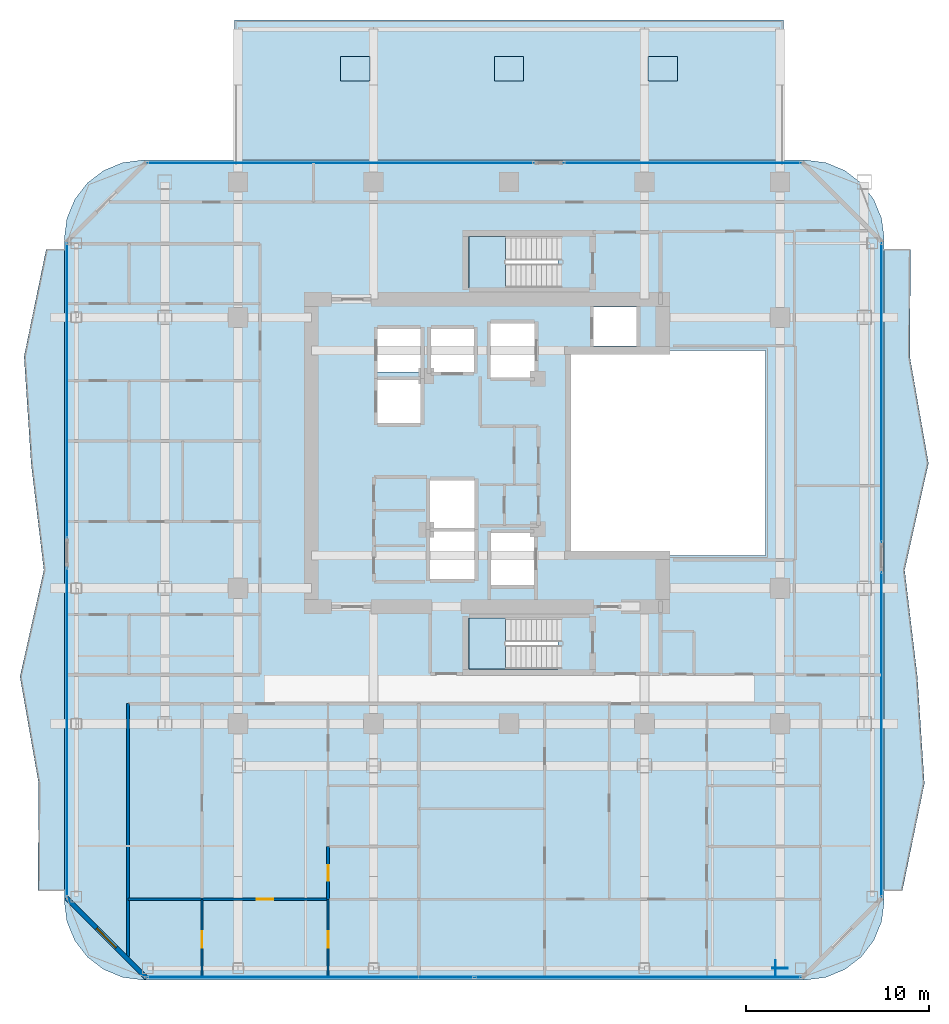
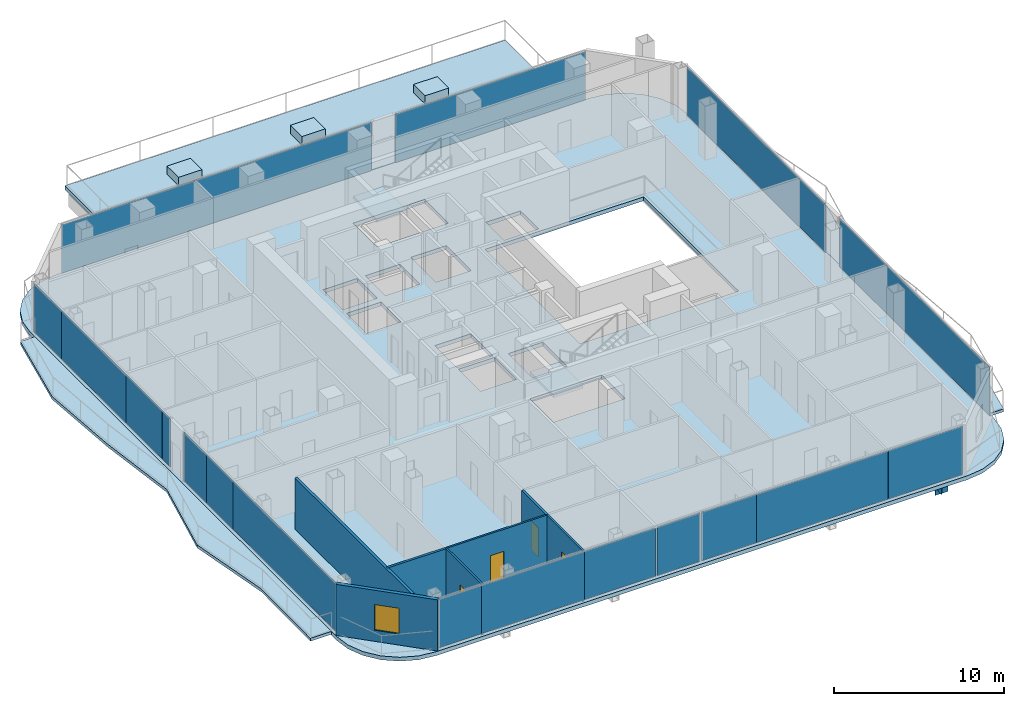
# One storey, part 16 of 24: 20 plates, 9 slabs, 7 walls, 4 doors, 1 window, 5 openings, 9 elements without a shape of their own.
"""IFC4 building model written with IfcOpenShell, lengths in metres."""

from ifc_helpers import new_model, si_unit, direction, frame, frame_2d, origin, origin_2d, place, context, subcontext, project, spatial, polyline, rectangle, outline, extrude, material, layer, layer_set, type_object, element, fill, aggregate, save


model = new_model("IFC4")

# Units and contexts
model_context = context("Model", 3, precision=1e-05, world=origin(), true_north=direction((0.0, 1.0)))
body_context = subcontext(model_context, "Body", "Model", "MODEL_VIEW")
ifc_project = project(units=[si_unit("LENGTHUNIT", "METRE"), si_unit("AREAUNIT", "SQUARE_METRE"), si_unit("VOLUMEUNIT", "CUBIC_METRE"), si_unit("PLANEANGLEUNIT", "RADIAN"), si_unit("MASSUNIT", "GRAM", prefix="KILO")], contexts=[model_context])

# Site, building, storey
site_placement = place(None, origin())
site = spatial("IfcSite", under=ifc_project, at=site_placement, CompositionType="ELEMENT")
building_placement = place(site_placement, origin())
building = spatial("IfcBuilding", under=site, at=building_placement, Name="Khorvyn Point Tower", CompositionType="ELEMENT")
storey_placement = place(building_placement, frame((0.0, 0.0, 191.39990234375)))
storey = spatial("IfcBuildingStorey", under=building, at=storey_placement, Name="L47", CompositionType="ELEMENT", Elevation=191.39990234375)

# Slabs
ifc_material_1 = material(Name="Concrete C35/45", Category="concrete")
ifc_layer_1 = layer(ifc_material_1, 0.239990234375)
ifc_layer_set_1 = layer_set([ifc_layer_1], Name="Concrete C35/45 Setback Terrace Roof Slab 240")
slab_type_1 = type_object("IfcSlabType", Name="Concrete C35/45 Setback Terrace Roof Slab 240", PredefinedType="ROOF", material=ifc_layer_set_1)
slab_1_placement = place(storey_placement, frame((0.0, 0.0, -0.27978515625)))
element("IfcSlab", 1, at=slab_1_placement, inside=storey, type_object=slab_type_1, Name="L47 North Jenga Setback Sky-Garden Terrace", PredefinedType="ROOF", context=body_context, shape_type="SweptSolid", body=[
    extrude(outline(polyline([(-15.0, 16.02001953125), (15.0, 16.02001953125), (15.0, 23.64990234375), (-15.0, 23.64990234375), (-15.0, 16.02001953125)])), origin(), (0.0, 0.0, 1.0), 0.27978515625),
])
ifc_layer_2 = layer(ifc_material_1, 0.60009765625)
ifc_layer_set_2 = layer_set([ifc_layer_2], Name="Concrete C35/45 Terrace Tree Planter 600")
slab_type_2 = type_object("IfcSlabType", Name="Concrete C35/45 Terrace Tree Planter 600", PredefinedType="USERDEFINED", material=ifc_layer_set_2)
slab_2_placement = place(storey_placement, origin())
element("IfcSlab", 2, at=slab_2_placement, inside=storey, type_object=slab_type_2, Name="L47 Sky-Terrace Structural Tree Planter 1", ObjectType="PLANTER", PredefinedType="USERDEFINED", context=body_context, shape_type="SweptSolid", body=[
    extrude(outline(polyline([(-9.199951171875, 20.304443359375), (-7.60009765625, 20.304443359375), (-7.60009765625, 21.654541015625), (-9.199951171875, 21.654541015625), (-9.199951171875, 20.304443359375)])), origin(), (0.0, 0.0, 1.0), 0.60009765625),
])
slab_3_placement = place(storey_placement, origin())
element("IfcSlab", 3, at=slab_3_placement, inside=storey, type_object=slab_type_2, Name="L47 Sky-Terrace Structural Tree Planter 2", ObjectType="PLANTER", PredefinedType="USERDEFINED", context=body_context, shape_type="SweptSolid", body=[
    extrude(outline(polyline([(-0.800048828125, 20.304443359375), (0.800048828125, 20.304443359375), (0.800048828125, 21.654541015625), (-0.800048828125, 21.654541015625), (-0.800048828125, 20.304443359375)])), origin(), (0.0, 0.0, 1.0), 0.60009765625),
])
slab_4_placement = place(storey_placement, origin())
element("IfcSlab", 4, at=slab_4_placement, inside=storey, type_object=slab_type_2, Name="L47 Sky-Terrace Structural Tree Planter 3", ObjectType="PLANTER", PredefinedType="USERDEFINED", context=body_context, shape_type="SweptSolid", body=[
    extrude(outline(polyline([(7.60009765625, 20.304443359375), (9.199951171875, 20.304443359375), (9.199951171875, 21.654541015625), (7.60009765625, 21.654541015625), (7.60009765625, 20.304443359375)])), origin(), (0.0, 0.0, 1.0), 0.60009765625),
])
ifc_material_2 = material(Name="Concrete C40/50", Category="concrete")
ifc_layer_3 = layer(ifc_material_2, 0.2099609375)
ifc_layer_set_3 = layer_set([ifc_layer_3], Name="Concrete C40/50 Rippling Balcony Slab 210")
slab_type_3 = type_object("IfcSlabType", Name="Concrete C40/50 Rippling Balcony Slab 210", PredefinedType="USERDEFINED", material=ifc_layer_set_3)
slab_5_placement = place(storey_placement, frame((0.0, 0.0, -0.2099609375)))
element("IfcSlab", 5, at=slab_5_placement, inside=storey, type_object=slab_type_3, Name="L47 East Sinusoidal Rippling Balcony", ObjectType="BALCONY", PredefinedType="USERDEFINED", context=body_context, shape_type="SweptSolid", body=[
    extrude(outline(polyline([(20.5, -23.89990234375), (21.492431640625, -23.89990234375), (22.695556640625, -18.066650390625), (22.31201171875, -12.2333984375), (21.61474609375, -6.39990234375), (22.917724609375, -0.566650390625), (21.896728515625, 5.2666015625), (21.940185546875, 11.10009765625), (20.5, 11.10009765625), (20.5, -23.89990234375)])), origin(), (0.0, 0.0, 1.0), 0.2099609375),
])
slab_6_placement = place(storey_placement, frame((0.0, 0.0, -0.2099609375)))
element("IfcSlab", 6, at=slab_6_placement, inside=storey, type_object=slab_type_3, Name="L47 West Sinusoidal Rippling Balcony", ObjectType="BALCONY", PredefinedType="USERDEFINED", context=body_context, shape_type="SweptSolid", body=[
    extrude(outline(polyline([(-24.300048828125, 11.10009765625), (-25.29248046875, 11.10009765625), (-26.49560546875, 5.2666015625), (-26.112060546875, -0.566650390625), (-25.414794921875, -6.39990234375), (-26.7177734375, -12.2333984375), (-25.69677734375, -18.066650390625), (-25.739990234375, -23.89990234375), (-24.300048828125, -23.89990234375), (-24.300048828125, 11.10009765625)])), origin(), (0.0, 0.0, 1.0), 0.2099609375),
])

# Stair, slab
stair_type = type_object("IfcStairType", Name="Tower Concrete C40/50 Dogleg Exit Stair", PredefinedType="HALF_TURN_STAIR", material=ifc_material_2)
stair_1_placement = place(storey_placement, origin())
stair_1 = element("IfcStair", 7, at=stair_1_placement, inside=storey, type_object=stair_type, Name="L47 Tower Smokeproof Exit Stair South", PredefinedType="HALF_TURN_STAIR")
ifc_layer_4 = layer(ifc_material_2, 0.199951171875)
ifc_layer_set_4 = layer_set([ifc_layer_4], Name="Concrete C40/50 Stair Landing Slab 200")
slab_type_4 = type_object("IfcSlabType", Name="Concrete C40/50 Stair Landing Slab 200", PredefinedType="LANDING", material=ifc_layer_set_4)
slab_7_placement = place(storey_placement, frame((0.0, 0.0, 1.75)))
slab_7 = element("IfcSlab", 8, at=slab_7_placement, type_object=slab_type_4, Name="ST-01 landing 1", PredefinedType="LANDING", context=body_context, shape_type="SweptSolid", body=[
    extrude(outline(polyline([(-0.179931640625, -9.02001953125), (-2.199951171875, -9.02001953125), (-2.199951171875, -11.820068359375), (-0.179931640625, -11.820068359375), (-0.179931640625, -9.02001953125)])), origin(), (0.0, 0.0, 1.0), 0.2001953125),
])
aggregate(stair_1, [slab_7])

stair_2_placement = place(storey_placement, origin())
stair_2 = element("IfcStair", 9, at=stair_2_placement, inside=storey, type_object=stair_type, Name="L47 Tower Smokeproof Exit Stair North", PredefinedType="HALF_TURN_STAIR")
slab_8_placement = place(storey_placement, frame((0.0, 0.0, 1.75)))
slab_8 = element("IfcSlab", 10, at=slab_8_placement, type_object=slab_type_4, Name="ST-02 landing 1", PredefinedType="LANDING", context=body_context, shape_type="SweptSolid", body=[
    extrude(outline(polyline([(-0.179931640625, 11.820068359375), (-2.199951171875, 11.820068359375), (-2.199951171875, 9.02001953125), (-0.179931640625, 9.02001953125), (-0.179931640625, 11.820068359375)])), origin(), (0.0, 0.0, 1.0), 0.2001953125),
])
aggregate(stair_2, [slab_8])

# Slab
ifc_layer_5 = layer(ifc_material_2, 0.280029296875)
ifc_layer_set_5 = layer_set([ifc_layer_5], Name="Concrete C40/50 Structural Floor Slab 280")
slab_type_5 = type_object("IfcSlabType", Name="Concrete C40/50 Structural Floor Slab 280", PredefinedType="FLOOR", material=ifc_layer_set_5)
slab_9_placement = place(storey_placement, frame((0.0, 0.0, -0.27978515625)))
element("IfcSlab", 11, at=slab_9_placement, inside=storey, type_object=slab_type_5, Name="L47 Main Structural Floor Slab", PredefinedType="FLOOR", context=body_context, shape_type="SweptSolid", body=[
    extrude(outline(polyline([(-20.0, -28.800048828125), (-21.11279296875, -28.653564453125), (-22.14990234375, -28.223876953125), (-23.04052734375, -27.54052734375), (-23.723876953125, -26.64990234375), (-24.153564453125, -25.61279296875), (-24.300048828125, -24.5), (-24.300048828125, 11.699951171875), (-24.153564453125, 12.81298828125), (-23.723876953125, 13.85009765625), (-23.04052734375, 14.740478515625), (-22.14990234375, 15.423828125), (-21.11279296875, 15.853515625), (-20.0, 16.0), (16.199951171875, 16.0), (17.31298828125, 15.853515625), (18.35009765625, 15.423828125), (19.240478515625, 14.740478515625), (19.923828125, 13.85009765625), (20.353515625, 12.81298828125), (20.5, 11.699951171875), (20.5, -24.5), (20.353515625, -25.61279296875), (19.923828125, -26.64990234375), (19.240478515625, -27.54052734375), (18.35009765625, -28.223876953125), (17.31298828125, -28.653564453125), (16.199951171875, -28.800048828125), (-20.0, -28.800048828125)]), holes=[polyline([(-1.875, -6.89990234375), (-1.875, -4.300048828125), (-4.324951171875, -4.300048828125), (-4.324951171875, -6.89990234375), (-1.875, -6.89990234375)]), polyline([(-1.875, -4.10009765625), (-1.875, -1.5), (-4.324951171875, -1.5), (-4.324951171875, -4.10009765625), (-1.875, -4.10009765625)]), polyline([(-4.824951171875, 1.625), (-4.824951171875, 3.97509765625), (-7.175048828125, 3.97509765625), (-7.175048828125, 1.625), (-4.824951171875, 1.625)]), polyline([(-7.175048828125, 4.425048828125), (-4.824951171875, 4.425048828125), (-4.824951171875, 6.77490234375), (-7.175048828125, 6.77490234375), (-7.175048828125, 4.425048828125)]), polyline([(-4.27490234375, 4.425048828125), (-1.925048828125, 4.425048828125), (-1.925048828125, 6.77490234375), (-4.27490234375, 6.77490234375), (-4.27490234375, 4.425048828125)]), polyline([(1.39990234375, 4.125), (1.39990234375, 7.074951171875), (-1.0, 7.074951171875), (-1.0, 4.125), (1.39990234375, 4.125)]), polyline([(-2.199951171875, -11.820068359375), (2.679931640625, -11.820068359375), (2.679931640625, -9.02001953125), (-2.199951171875, -9.02001953125), (-2.199951171875, -11.820068359375)]), polyline([(-0.97509765625, -7.22509765625), (1.375, -7.22509765625), (1.375, -4.375), (-0.97509765625, -4.375), (-0.97509765625, -7.22509765625)]), polyline([(14.0, -5.60009765625), (14.0, 5.60009765625), (3.199951171875, 5.60009765625), (3.199951171875, -5.60009765625), (14.0, -5.60009765625)]), polyline([(4.625, 5.85009765625), (6.97509765625, 5.85009765625), (6.97509765625, 7.97998046875), (4.625, 7.97998046875), (4.625, 5.85009765625)]), polyline([(-2.199951171875, 9.02001953125), (2.679931640625, 9.02001953125), (2.679931640625, 11.820068359375), (-2.199951171875, 11.820068359375), (-2.199951171875, 9.02001953125)])]), origin(), (0.0, 0.0, 1.0), 0.27978515625),
])

# Plates
ifc_material_3 = material(Name="Steel S450", Category="steel")
ifc_layer_6 = layer(ifc_material_3, 0.031982421875)
ifc_layer_set_6 = layer_set([ifc_layer_6], Name="Steel S450 Exoskeleton End Cap Plate 32")
plate_type_1 = type_object("IfcPlateType", Name="Steel S450 Exoskeleton End Cap Plate 32", PredefinedType="USERDEFINED", material=ifc_layer_set_6)
plate_1_placement = place(storey_placement, frame((14.800048828125, -28.159912109375, -1.16015625), z_axis=(0.0, 0.0, 1.0), x_axis=(1.0, 0.0, 0.0)))
element("IfcPlate", 12, at=plate_1_placement, inside=storey, type_object=plate_type_1, Name="Plate", ObjectType="GUSSET", PredefinedType="USERDEFINED", context=body_context, shape_type="SweptSolid", body=[
    extrude(rectangle(XDim=0.860107421875, YDim=0.031982421875, at=origin_2d()), origin(), (0.0, 0.0, 1.0), 0.860107421875),
])
plate_2_placement = place(storey_placement, frame((14.56005859375, -28.14990234375, -0.91015625), z_axis=(0.0, 0.0, 1.0), x_axis=(1.0, 0.0, 0.0)))
element("IfcPlate", 13, at=plate_2_placement, inside=storey, type_object=plate_type_1, Name="Plate", ObjectType="GUSSET", PredefinedType="USERDEFINED", context=body_context, shape_type="SweptSolid", body=[
    extrude(rectangle(XDim=0.031982421875, YDim=0.860107421875, at=origin_2d()), origin(), (0.0, 0.0, 1.0), 0.860107421875),
])

# Curtain wall, plates
ifc_material_4 = material(Name="Anodised aluminium 6063-T6 and laminated Low-E glass", Category="aluminium")
ifc_layer_7 = layer(ifc_material_4, 0.18994140625)
ifc_layer_set_7 = layer_set([ifc_layer_7], Name="Stick-Built Acoustic Curtain Wall CW-SYS-03")
curtain_wall_type = type_object("IfcCurtainWallType", Name="Stick-Built Acoustic Curtain Wall CW-SYS-03", PredefinedType="NOTDEFINED", material=ifc_layer_set_7)
curtain_wall_1_placement = place(storey_placement, origin())
curtain_wall_1 = element("IfcCurtainWall", 14, at=curtain_wall_1_placement, inside=storey, type_object=curtain_wall_type, Name="Curtain Wall", PredefinedType="NOTDEFINED")
ifc_material_5 = material(Name="Laminated Low-E insulated glass", Category="glass")
ifc_layer_8 = layer(ifc_material_5, 0.028076171875)
ifc_layer_set_8 = layer_set([ifc_layer_8], Name="Tempered Low-E Vision Glazing Panel CW-GL28")
plate_type_2 = type_object("IfcPlateType", Name="Tempered Low-E Vision Glazing Panel CW-GL28", PredefinedType="CURTAIN_PANEL", material=ifc_layer_set_8)
plate_3_placement = place(storey_placement, frame((0.0224609375, -28.64990234375, 0.10009765625), z_axis=(0.0, 0.0, 1.0), x_axis=(-1.0, 0.0, 0.0)))
plate_3 = element("IfcPlate", 15, at=plate_3_placement, type_object=plate_type_2, Name="Panel", PredefinedType="CURTAIN_PANEL", context=body_context, shape_type="SweptSolid", body=[
    extrude(rectangle(XDim=3.737060546875, YDim=0.028076171875, at=origin_2d()), origin(), (0.0, 0.0, 1.0), 3.47998046875),
])
plate_4_placement = place(storey_placement, frame((6.384521484375, -28.64990234375, 0.10009765625), z_axis=(0.0, 0.0, 1.0), x_axis=(-1.0, 0.0, 0.0)))
plate_4 = element("IfcPlate", 16, at=plate_4_placement, type_object=plate_type_2, Name="Panel", PredefinedType="CURTAIN_PANEL", context=body_context, shape_type="SweptSolid", body=[
    extrude(rectangle(XDim=8.970947265625, YDim=0.028076171875, at=origin_2d()), origin(), (0.0, 0.0, 1.0), 3.47998046875),
])
plate_5_placement = place(storey_placement, frame((13.412109375, -28.64990234375, 0.10009765625), z_axis=(0.0, 0.0, 1.0), x_axis=(-1.0, 0.0, 0.0)))
plate_5 = element("IfcPlate", 17, at=plate_5_placement, type_object=plate_type_2, Name="Panel", PredefinedType="CURTAIN_PANEL", context=body_context, shape_type="SweptSolid", body=[
    extrude(rectangle(XDim=5.068115234375, YDim=0.028076171875, at=origin_2d()), origin(), (0.0, 0.0, 1.0), 3.47998046875),
])
plate_6_placement = place(storey_placement, frame((-18.2919921875, -28.64990234375, 0.10009765625), z_axis=(0.0, 0.0, 1.0), x_axis=(-1.0, 0.0, 0.0)))
plate_6 = element("IfcPlate", 18, at=plate_6_placement, type_object=plate_type_2, Name="Panel", PredefinedType="CURTAIN_PANEL", context=body_context, shape_type="SweptSolid", body=[
    extrude(rectangle(XDim=2.907958984375, YDim=0.028076171875, at=origin_2d()), origin(), (0.0, 0.0, 1.0), 3.47998046875),
])
plate_7_placement = place(storey_placement, frame((-13.32958984375, -28.64990234375, 0.10009765625), z_axis=(0.0, 0.0, 1.0), x_axis=(-1.0, 0.0, 0.0)))
plate_7 = element("IfcPlate", 19, at=plate_7_placement, type_object=plate_type_2, Name="Panel", PredefinedType="CURTAIN_PANEL", context=body_context, shape_type="SweptSolid", body=[
    extrude(rectangle(XDim=7.0009765625, YDim=0.028076171875, at=origin_2d()), origin(), (0.0, 0.0, 1.0), 3.47998046875),
])
plate_8_placement = place(storey_placement, frame((-7.406005859375, -28.64990234375, 0.10009765625), z_axis=(0.0, 0.0, 1.0), x_axis=(-1.0, 0.0, 0.0)))
plate_8 = element("IfcPlate", 20, at=plate_8_placement, type_object=plate_type_2, Name="Panel", PredefinedType="CURTAIN_PANEL", context=body_context, shape_type="SweptSolid", body=[
    extrude(rectangle(XDim=4.830078125, YDim=0.028076171875, at=origin_2d()), origin(), (0.0, 0.0, 1.0), 3.47998046875),
])
plate_9_placement = place(storey_placement, frame((-3.408447265625, -28.64990234375, 0.10009765625), z_axis=(0.0, 0.0, 1.0), x_axis=(-1.0, 0.0, 0.0)))
plate_9 = element("IfcPlate", 21, at=plate_9_placement, type_object=plate_type_2, Name="Panel", PredefinedType="CURTAIN_PANEL", context=body_context, shape_type="SweptSolid", body=[
    extrude(rectangle(XDim=2.908935546875, YDim=0.028076171875, at=origin_2d()), origin(), (0.0, 0.0, 1.0), 3.47998046875),
])
aggregate(curtain_wall_1, [plate_3, plate_4, plate_5, plate_6, plate_7, plate_8, plate_9])

# Curtain wall, plate
curtain_wall_2_placement = place(storey_placement, origin())
curtain_wall_2 = element("IfcCurtainWall", 22, at=curtain_wall_2_placement, inside=storey, type_object=curtain_wall_type, Name="Curtain Wall", PredefinedType="NOTDEFINED")
plate_10_placement = place(storey_placement, frame((-9.199462890625, 15.85009765625, 0.10009765625), z_axis=(0.0, 0.0, 1.0), x_axis=(1.0, 0.0, 0.0)))
plate_10 = element("IfcPlate", 23, at=plate_10_placement, type_object=plate_type_2, Name="Panel", PredefinedType="CURTAIN_PANEL", context=body_context, shape_type="SweptSolid", body=[
    extrude(rectangle(XDim=21.10107421875, YDim=0.028076171875, at=origin_2d()), origin(), (0.0, 0.0, 1.0), 3.47998046875),
])
aggregate(curtain_wall_2, [plate_10])

curtain_wall_3_placement = place(storey_placement, origin())
curtain_wall_3 = element("IfcCurtainWall", 24, at=curtain_wall_3_placement, inside=storey, type_object=curtain_wall_type, Name="Curtain Wall", PredefinedType="NOTDEFINED")
plate_11_placement = place(storey_placement, frame((9.470458984375, 15.85009765625, 0.10009765625), z_axis=(0.0, 0.0, 1.0), x_axis=(1.0, 0.0, 0.0)))
plate_11 = element("IfcPlate", 25, at=plate_11_placement, type_object=plate_type_2, Name="Panel", PredefinedType="CURTAIN_PANEL", context=body_context, shape_type="SweptSolid", body=[
    extrude(rectangle(XDim=12.958984375, YDim=0.028076171875, at=origin_2d()), origin(), (0.0, 0.0, 1.0), 3.47998046875),
])
aggregate(curtain_wall_3, [plate_11])

# Curtain wall, plates
curtain_wall_4_placement = place(storey_placement, origin())
curtain_wall_4 = element("IfcCurtainWall", 26, at=curtain_wall_4_placement, inside=storey, type_object=curtain_wall_type, Name="Curtain Wall", PredefinedType="NOTDEFINED")
plate_12_placement = place(storey_placement, frame((-24.14990234375, -18.155029296875, 0.10009765625), z_axis=(0.0, 0.0, 1.0), x_axis=(0.0, 1.0, 0.0)))
plate_12 = element("IfcPlate", 27, at=plate_12_placement, type_object=plate_type_2, Name="Panel", PredefinedType="CURTAIN_PANEL", context=body_context, shape_type="SweptSolid", body=[
    extrude(rectangle(XDim=12.181884765625, YDim=0.028076171875, at=origin_2d()), origin(), (0.0, 0.0, 1.0), 3.47998046875),
])
plate_13_placement = place(storey_placement, frame((-24.14990234375, -10.47802734375, 0.10009765625), z_axis=(0.0, 0.0, 1.0), x_axis=(0.0, 1.0, 0.0)))
plate_13 = element("IfcPlate", 28, at=plate_13_placement, type_object=plate_type_2, Name="Panel", PredefinedType="CURTAIN_PANEL", context=body_context, shape_type="SweptSolid", body=[
    extrude(rectangle(XDim=3.156005859375, YDim=0.028076171875, at=origin_2d()), origin(), (0.0, 0.0, 1.0), 3.47998046875),
])
plate_14_placement = place(storey_placement, frame((-24.14990234375, -7.590087890625, 0.10009765625), z_axis=(0.0, 0.0, 1.0), x_axis=(0.0, 1.0, 0.0)))
plate_14 = element("IfcPlate", 29, at=plate_14_placement, type_object=plate_type_2, Name="Panel", PredefinedType="CURTAIN_PANEL", context=body_context, shape_type="SweptSolid", body=[
    extrude(rectangle(XDim=2.60400390625, YDim=0.028076171875, at=origin_2d()), origin(), (0.0, 0.0, 1.0), 3.47998046875),
])
aggregate(curtain_wall_4, [plate_12, plate_13, plate_14])

curtain_wall_5_placement = place(storey_placement, origin())
curtain_wall_5 = element("IfcCurtainWall", 30, at=curtain_wall_5_placement, inside=storey, type_object=curtain_wall_type, Name="Curtain Wall", PredefinedType="NOTDEFINED")
plate_15_placement = place(storey_placement, frame((-24.14990234375, -4.16845703125, 0.10009765625), z_axis=(0.0, 0.0, 1.0), x_axis=(0.0, 1.0, 0.0)))
plate_15 = element("IfcPlate", 31, at=plate_15_placement, type_object=plate_type_2, Name="Panel", PredefinedType="CURTAIN_PANEL", context=body_context, shape_type="SweptSolid", body=[
    extrude(rectangle(XDim=0.943115234375, YDim=0.028076171875, at=origin_2d()), origin(), (0.0, 0.0, 1.0), 3.47998046875),
])
plate_16_placement = place(storey_placement, frame((-24.14990234375, -1.554443359375, 0.10009765625), z_axis=(0.0, 0.0, 1.0), x_axis=(0.0, 1.0, 0.0)))
plate_16 = element("IfcPlate", 32, at=plate_16_placement, type_object=plate_type_2, Name="Panel", PredefinedType="CURTAIN_PANEL", context=body_context, shape_type="SweptSolid", body=[
    extrude(rectangle(XDim=4.26904296875, YDim=0.028076171875, at=origin_2d()), origin(), (0.0, 0.0, 1.0), 3.47998046875),
])
plate_17_placement = place(storey_placement, frame((-24.14990234375, 4.39501953125, 0.10009765625), z_axis=(0.0, 0.0, 1.0), x_axis=(0.0, 1.0, 0.0)))
plate_17 = element("IfcPlate", 33, at=plate_17_placement, type_object=plate_type_2, Name="Panel", PredefinedType="CURTAIN_PANEL", context=body_context, shape_type="SweptSolid", body=[
    extrude(rectangle(XDim=7.614013671875, YDim=0.028076171875, at=origin_2d()), origin(), (0.0, 0.0, 1.0), 3.47998046875),
])
plate_18_placement = place(storey_placement, frame((-24.14990234375, 9.827880859375, 0.10009765625), z_axis=(0.0, 0.0, 1.0), x_axis=(0.0, 1.0, 0.0)))
plate_18 = element("IfcPlate", 34, at=plate_18_placement, type_object=plate_type_2, Name="Panel", PredefinedType="CURTAIN_PANEL", context=body_context, shape_type="SweptSolid", body=[
    extrude(rectangle(XDim=3.236083984375, YDim=0.028076171875, at=origin_2d()), origin(), (0.0, 0.0, 1.0), 3.47998046875),
])
aggregate(curtain_wall_5, [plate_15, plate_16, plate_17, plate_18])

# Curtain wall, plate
curtain_wall_6_placement = place(storey_placement, origin())
curtain_wall_6 = element("IfcCurtainWall", 35, at=curtain_wall_6_placement, inside=storey, type_object=curtain_wall_type, Name="Curtain Wall", PredefinedType="NOTDEFINED")
plate_19_placement = place(storey_placement, frame((20.35009765625, 3.2900390625, 0.10009765625), z_axis=(0.0, 0.0, 1.0), x_axis=(0.0, -1.0, 0.0)))
plate_19 = element("IfcPlate", 36, at=plate_19_placement, type_object=plate_type_2, Name="Panel", PredefinedType="CURTAIN_PANEL", context=body_context, shape_type="SweptSolid", body=[
    extrude(rectangle(XDim=16.320068359375, YDim=0.028076171875, at=origin_2d()), origin(), (0.0, 0.0, 1.0), 3.47998046875),
])
aggregate(curtain_wall_6, [plate_19])

curtain_wall_7_placement = place(storey_placement, origin())
curtain_wall_7 = element("IfcCurtainWall", 37, at=curtain_wall_7_placement, inside=storey, type_object=curtain_wall_type, Name="Curtain Wall", PredefinedType="NOTDEFINED")
plate_20_placement = place(storey_placement, frame((20.35009765625, -15.3798828125, 0.10009765625), z_axis=(0.0, 0.0, 1.0), x_axis=(0.0, -1.0, 0.0)))
plate_20 = element("IfcPlate", 38, at=plate_20_placement, type_object=plate_type_2, Name="Panel", PredefinedType="CURTAIN_PANEL", context=body_context, shape_type="SweptSolid", body=[
    extrude(rectangle(XDim=17.739990234375, YDim=0.028076171875, at=origin_2d()), origin(), (0.0, 0.0, 1.0), 3.47998046875),
])
aggregate(curtain_wall_7, [plate_20])

# Wall
ifc_material_6 = material(Name="Double acoustic gypsum on twin steel stud", Category="steel")
ifc_layer_9 = layer(ifc_material_6, 0.179931640625)
ifc_layer_set_9 = layer_set([ifc_layer_9], Name="Acoustic Double-Stud Apartment Demising Wall 180")
wall_type_1 = type_object("IfcWallType", Name="Acoustic Double-Stud Apartment Demising Wall 180", PredefinedType="PARTITIONING", material=ifc_layer_set_9)
wall_1_placement = place(storey_placement, frame((-20.820068359375, -27.510009765625, 0.0), z_axis=(0.0, 0.0, 1.0), x_axis=(0.0, 1.0, 0.0)))
element("IfcWall", 39, at=wall_1_placement, inside=storey, type_object=wall_type_1, Name="Wall", PredefinedType="PARTITIONING", context=body_context, shape_type="SweptSolid", body=[
    extrude(rectangle(XDim=13.81005859375, YDim=0.179931640625, at=frame_2d((6.905029296875, 0.0))), origin(), (0.0, 0.0, 1.0), 3.68017578125),
])

# Wall, opening, window
ifc_material_7 = material(Name="Pale anodised aluminium rainscreen on steel stud", Category="steel")
ifc_layer_10 = layer(ifc_material_7, 0.239990234375)
ifc_layer_set_10 = layer_set([ifc_layer_10], Name="Anodised Aluminium Insulated Corner Spandrel Wall 240")
wall_type_2 = type_object("IfcWallType", Name="Anodised Aluminium Insulated Corner Spandrel Wall 240", PredefinedType="SOLIDWALL", material=ifc_layer_set_10)
wall_2_placement = place(storey_placement, frame((-19.8076171875, -28.6923828125, 0.0), z_axis=(0.0, 0.0, 1.0), x_axis=(-0.707106781187, 0.707106781187, 0.0)))
wall_2 = element("IfcWall", 40, at=wall_2_placement, inside=storey, type_object=wall_type_2, Name="L47 Rounded Corner Wall SW", PredefinedType="SOLIDWALL", context=body_context, shape_type="SweptSolid", body=[
    extrude(rectangle(XDim=6.200927734375, YDim=0.239990234375, at=frame_2d((3.1005859375, 0.0))), origin(), (0.0, 0.0, 1.0), 3.68017578125),
])
opening_1_placement = place(wall_2_placement, frame((2.3505859375, 0.0, 0.800048828125)))
opening_1 = element("IfcOpeningElement", 41, at=opening_1_placement, cuts=wall_2, Name="Opening WN-1518", PredefinedType="OPENING", context=body_context, shape_type="SweptSolid", body=[
    extrude(rectangle(XDim=1.5, YDim=1.85009765625, at=frame_2d((0.75, 0.925048828125))), frame((0.0, 0.1298828125, 0.0), z_axis=(0.0, -1.0, 0.0), x_axis=(1.0, 0.0, 0.0)), (0.0, 0.0, 1.0), 0.260009765625),
])
window_type = type_object("IfcWindowType", Name="Anodised Aluminium Rounded-Corner Panoramic Window 1500x1850", PartitioningType="SINGLE_PANEL", PredefinedType="WINDOW", material=ifc_material_4)
window_placement = place(opening_1_placement, origin())
window = element("IfcWindow", 42, at=window_placement, inside=storey, type_object=window_type, Name="L47 Corner Panoramic Window SW", OverallHeight=1.85009765625, OverallWidth=1.5, PartitioningType="SINGLE_PANEL", PredefinedType="WINDOW", context=body_context, shape_type="SweptSolid", body=[
    extrude(rectangle(XDim=1.5, YDim=1.85009765625, at=frame_2d((0.75, 0.925048828125))), frame((0.0, 0.030029296875, 0.0), z_axis=(0.0, -1.0, 0.0), x_axis=(1.0, 0.0, 0.0)), (0.0, 0.0, 1.0), 0.06005859375),
])
fill(opening_1, window)

# Wall, opening, door
ifc_material_8 = material(Name="Gypsum plasterboard on steel stud", Category="steel")
ifc_layer_11 = layer(ifc_material_8, 0.1201171875)
ifc_layer_set_11 = layer_set([ifc_layer_11], Name="Gypsum Acoustic Stud Room Partition Wall 120")
wall_type_3 = type_object("IfcWallType", Name="Gypsum Acoustic Stud Room Partition Wall 120", PredefinedType="PARTITIONING", material=ifc_layer_set_11)
wall_3_placement = place(storey_placement, frame((-16.77392578125, -24.389892578125, 0.0), z_axis=(0.0, 0.0, 1.0), x_axis=(1.0, 0.0, 0.0)))
wall_3 = element("IfcWall", 43, at=wall_3_placement, inside=storey, type_object=wall_type_3, Name="Wall", PredefinedType="PARTITIONING", context=body_context, shape_type="SweptSolid", body=[
    extrude(rectangle(XDim=6.888916015625, YDim=0.1201171875, at=frame_2d((3.4443359375, 0.0))), origin(), (0.0, 0.0, 1.0), 3.68017578125),
])
opening_2_placement = place(wall_3_placement, frame((2.994384765625, 0.0, 0.0)))
opening_2 = element("IfcOpeningElement", 44, at=opening_2_placement, cuts=wall_3, Name="Opening ID-RM90", PredefinedType="OPENING", context=body_context, shape_type="SweptSolid", body=[
    extrude(rectangle(XDim=0.89990234375, YDim=2.10009765625, at=frame_2d((0.449951171875, 1.050048828125))), frame((0.0, 0.070068359375, 0.0), z_axis=(0.0, -1.0, 0.0), x_axis=(1.0, 0.0, 0.0)), (0.0, 0.0, 1.0), 0.14013671875),
])
ifc_material_9 = material(Name="Engineered oak veneer timber", Category="wood")
door_type_1 = type_object("IfcDoorType", Name="Flush Engineered Timber Room Door 900x2100", OperationType="NOTDEFINED", PredefinedType="DOOR", material=ifc_material_9)
door_1_placement = place(opening_2_placement, origin())
door_1 = element("IfcDoor", 45, at=door_1_placement, inside=storey, type_object=door_type_1, Name="Door", OperationType="SINGLE_SWING_RIGHT", OverallHeight=2.10009765625, OverallWidth=0.89990234375, PredefinedType="DOOR", context=body_context, shape_type="SweptSolid", body=[
    extrude(rectangle(XDim=0.89990234375, YDim=2.10009765625, at=frame_2d((0.449951171875, 1.050048828125))), frame((0.0, 0.02490234375, 0.0), z_axis=(0.0, -1.0, 0.0), x_axis=(1.0, 0.0, 0.0)), (0.0, 0.0, 1.0), 0.050048828125),
])
fill(opening_2, door_1)

wall_4_placement = place(storey_placement, frame((-16.77392578125, -28.6298828125, 0.0), z_axis=(0.0, 0.0, 1.0), x_axis=(0.0, 1.0, 0.0)))
wall_4 = element("IfcWall", 46, at=wall_4_placement, inside=storey, type_object=wall_type_3, Name="Wall", PredefinedType="PARTITIONING", context=body_context, shape_type="SweptSolid", body=[
    extrude(rectangle(XDim=4.239990234375, YDim=0.1201171875, at=frame_2d((2.1201171875, 0.0))), origin(), (0.0, 0.0, 1.0), 3.68017578125),
])
opening_3_placement = place(wall_4_placement, frame((1.581298828125, 0.0, 0.0)))
opening_3 = element("IfcOpeningElement", 47, at=opening_3_placement, cuts=wall_4, Name="Opening ID-RM90", PredefinedType="OPENING", context=body_context, shape_type="SweptSolid", body=[
    extrude(rectangle(XDim=0.89990234375, YDim=2.10009765625, at=frame_2d((0.449951171875, 1.050048828125))), frame((0.0, 0.070068359375, 0.0), z_axis=(0.0, -1.0, 0.0), x_axis=(1.0, 0.0, 0.0)), (0.0, 0.0, 1.0), 0.14013671875),
])
door_2_placement = place(opening_3_placement, origin())
door_2 = element("IfcDoor", 48, at=door_2_placement, inside=storey, type_object=door_type_1, Name="Door", OperationType="SINGLE_SWING_RIGHT", OverallHeight=2.10009765625, OverallWidth=0.89990234375, PredefinedType="DOOR", context=body_context, shape_type="SweptSolid", body=[
    extrude(rectangle(XDim=0.89990234375, YDim=2.10009765625, at=frame_2d((0.449951171875, 1.050048828125))), frame((0.0, 0.02490234375, 0.0), z_axis=(0.0, -1.0, 0.0), x_axis=(1.0, 0.0, 0.0)), (0.0, 0.0, 1.0), 0.050048828125),
])
fill(opening_3, door_2)

wall_5_placement = place(storey_placement, frame((-9.885009765625, -28.6298828125, 0.0), z_axis=(0.0, 0.0, 1.0), x_axis=(0.0, 1.0, 0.0)))
wall_5 = element("IfcWall", 49, at=wall_5_placement, inside=storey, type_object=wall_type_3, Name="Wall", PredefinedType="PARTITIONING", context=body_context, shape_type="SweptSolid", body=[
    extrude(rectangle(XDim=4.239990234375, YDim=0.1201171875, at=frame_2d((2.1201171875, 0.0))), origin(), (0.0, 0.0, 1.0), 3.68017578125),
])
opening_4_placement = place(wall_5_placement, frame((1.581298828125, 0.0, 0.0)))
opening_4 = element("IfcOpeningElement", 50, at=opening_4_placement, cuts=wall_5, Name="Opening ID-RM90", PredefinedType="OPENING", context=body_context, shape_type="SweptSolid", body=[
    extrude(rectangle(XDim=0.89990234375, YDim=2.10009765625, at=frame_2d((0.449951171875, 1.050048828125))), frame((0.0, 0.070068359375, 0.0), z_axis=(0.0, -1.0, 0.0), x_axis=(1.0, 0.0, 0.0)), (0.0, 0.0, 1.0), 0.14013671875),
])
door_3_placement = place(opening_4_placement, origin())
door_3 = element("IfcDoor", 51, at=door_3_placement, inside=storey, type_object=door_type_1, Name="Door", OperationType="SINGLE_SWING_RIGHT", OverallHeight=2.10009765625, OverallWidth=0.89990234375, PredefinedType="DOOR", context=body_context, shape_type="SweptSolid", body=[
    extrude(rectangle(XDim=0.89990234375, YDim=2.10009765625, at=frame_2d((0.449951171875, 1.050048828125))), frame((0.0, 0.02490234375, 0.0), z_axis=(0.0, -1.0, 0.0), x_axis=(1.0, 0.0, 0.0)), (0.0, 0.0, 1.0), 0.050048828125),
])
fill(opening_4, door_3)

ifc_material_10 = material(Name="Moisture-resistant gypsum and cement board", Category="gypsum")
ifc_layer_12 = layer(ifc_material_10, 0.14990234375)
ifc_layer_set_12 = layer_set([ifc_layer_12], Name="Moisture-Resistant Wet-Room Partition Wall 150")
wall_type_4 = type_object("IfcWallType", Name="Moisture-Resistant Wet-Room Partition Wall 150", PredefinedType="PARTITIONING", material=ifc_layer_set_12)
wall_6_placement = place(storey_placement, frame((-9.885009765625, -24.389892578125, 0.0), z_axis=(0.0, 0.0, 1.0), x_axis=(0.0, 1.0, 0.0)))
wall_6 = element("IfcWall", 52, at=wall_6_placement, inside=storey, type_object=wall_type_4, Name="Wall", PredefinedType="PARTITIONING", context=body_context, shape_type="SweptSolid", body=[
    extrude(rectangle(XDim=2.885986328125, YDim=0.14990234375, at=frame_2d((1.44287109375, 0.0))), origin(), (0.0, 0.0, 1.0), 3.68017578125),
])
opening_5_placement = place(wall_6_placement, frame((1.01806640625, 0.0, 0.0)))
opening_5 = element("IfcOpeningElement", 53, at=opening_5_placement, cuts=wall_6, Name="Opening ID-WC85", PredefinedType="OPENING", context=body_context, shape_type="SweptSolid", body=[
    extrude(rectangle(XDim=0.85009765625, YDim=2.10009765625, at=frame_2d((0.425048828125, 1.050048828125))), frame((0.0, 0.0849609375, 0.0), z_axis=(0.0, -1.0, 0.0), x_axis=(1.0, 0.0, 0.0)), (0.0, 0.0, 1.0), 0.169921875),
])
ifc_material_11 = material(Name="High-pressure laminate on moisture-resistant core", Category="wood")
door_type_2 = type_object("IfcDoorType", Name="Moisture-Resistant Accessible Washroom Door 850x2100", OperationType="NOTDEFINED", PredefinedType="DOOR", material=ifc_material_11)
door_4_placement = place(opening_5_placement, origin())
door_4 = element("IfcDoor", 54, at=door_4_placement, inside=storey, type_object=door_type_2, Name="Door", OperationType="SINGLE_SWING_LEFT", OverallHeight=2.10009765625, OverallWidth=0.85009765625, PredefinedType="DOOR", context=body_context, shape_type="SweptSolid", body=[
    extrude(rectangle(XDim=0.85009765625, YDim=2.10009765625, at=frame_2d((0.425048828125, 1.050048828125))), frame((0.0, 0.02490234375, 0.0), z_axis=(0.0, -1.0, 0.0), x_axis=(1.0, 0.0, 0.0)), (0.0, 0.0, 1.0), 0.050048828125),
])
fill(opening_5, door_4)

# Wall
wall_7_placement = place(storey_placement, frame((-20.820068359375, -24.389892578125, 0.0), z_axis=(0.0, 0.0, 1.0), x_axis=(1.0, 0.0, 0.0)))
element("IfcWall", 55, at=wall_7_placement, inside=storey, type_object=wall_type_4, Name="Wall", PredefinedType="PARTITIONING", context=body_context, shape_type="SweptSolid", body=[
    extrude(rectangle(XDim=4.046142578125, YDim=0.14990234375, at=frame_2d((2.02294921875, 0.0))), origin(), (0.0, 0.0, 1.0), 3.68017578125),
])

save(model, "model.ifc")
